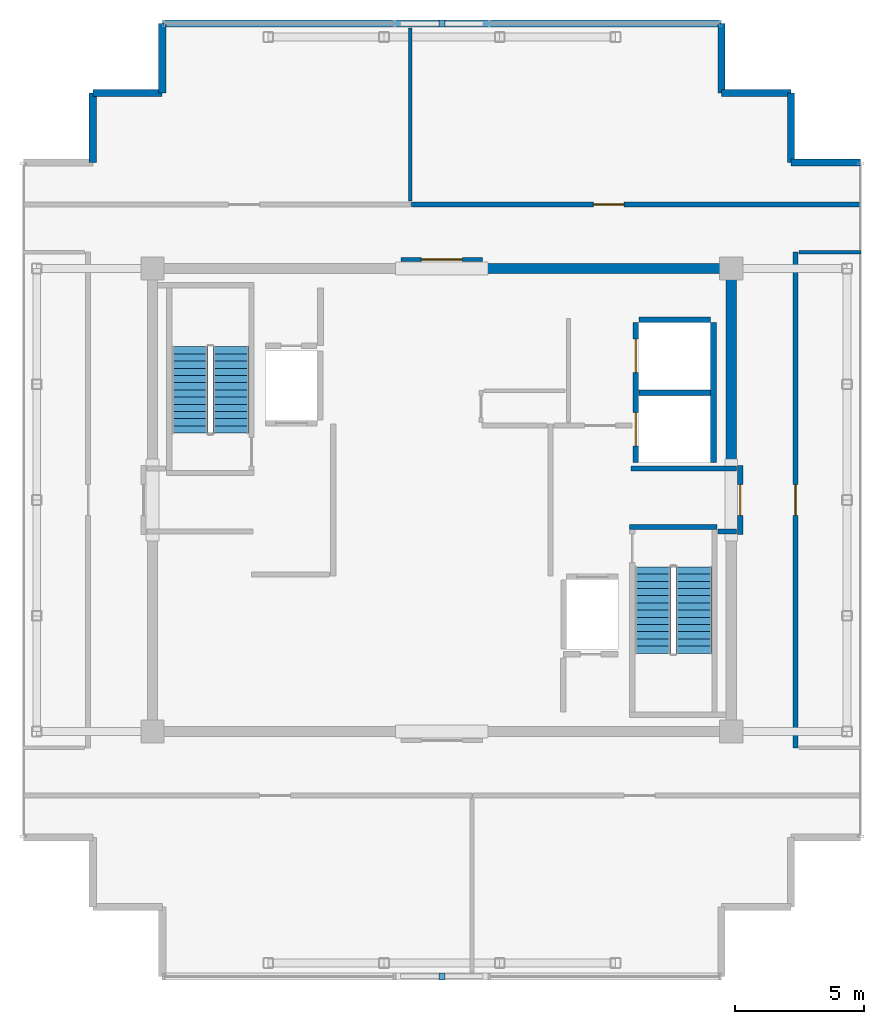
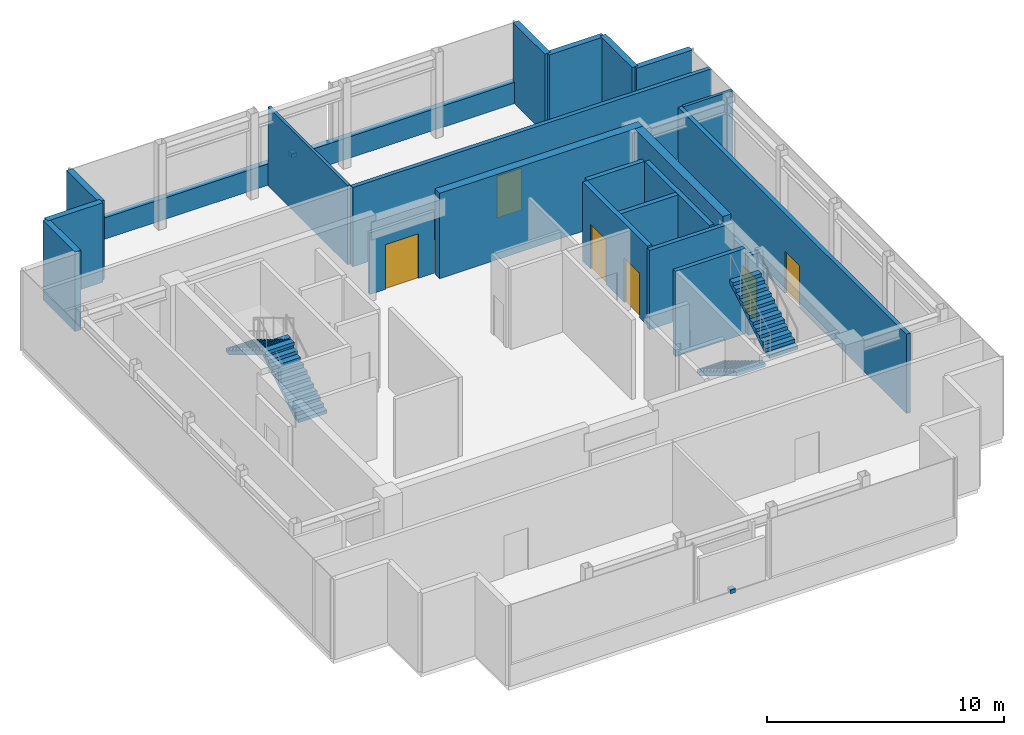
# One storey, part 13 of 14: 23 walls, 6 doors, 4 stair flights, 2 discrete accessories, 6 openings, 2 elements without a shape of their own.
"""IFC4 building model written with IfcOpenShell, lengths in metres."""

from ifc_helpers import new_model, si_unit, direction, frame, frame_2d, origin, origin_2d, place, context, subcontext, project, spatial, polyline, rectangle, outline, extrude, source, transform, mapped, material, layer, layer_set, type_object, element, fill, aggregate, save


model = new_model("IFC4")

# Units and contexts
model_context = context("Model", 3, precision=1e-05, world=origin(), true_north=direction((0.0, 1.0)))
body_context = subcontext(model_context, "Body", "Model", "MODEL_VIEW")
ifc_project = project(units=[si_unit("LENGTHUNIT", "METRE"), si_unit("AREAUNIT", "SQUARE_METRE"), si_unit("VOLUMEUNIT", "CUBIC_METRE"), si_unit("PLANEANGLEUNIT", "RADIAN"), si_unit("MASSUNIT", "GRAM", prefix="KILO")], contexts=[model_context])

# Site, building, storey
site_placement = place(None, origin())
site = spatial("IfcSite", under=ifc_project, at=site_placement, CompositionType="ELEMENT")
building_placement = place(site_placement, origin())
building = spatial("IfcBuilding", under=site, at=building_placement, Name="Nefas-Gora Pilgrimage Tower", CompositionType="ELEMENT")
storey_placement = place(building_placement, frame((0.0, 0.0, 363.0)))
storey = spatial("IfcBuildingStorey", under=building, at=storey_placement, Name="L91", CompositionType="ELEMENT", Elevation=363.0)

# Walls
ifc_material_1 = material(Name="Concrete C50/60", Category="concrete")
ifc_layer_1 = layer(ifc_material_1, 0.39990234375)
ifc_layer_set_1 = layer_set([ifc_layer_1], Name="Concrete C50/60")
wall_type_1 = type_object("IfcWallType", Name="SW-CORE-400", PredefinedType="SHEAR", material=ifc_layer_set_1)
shared_shape_1 = source(origin(), body_context, "Body", "SweptSolid", [
    extrude(rectangle(XDim=9.89990234375, YDim=0.39990234375, at=frame_2d((4.949951171875, 0.0))), origin(), (0.0, 0.0, 1.0), 4.39990234375),
])
wall_1_placement = place(storey_placement, frame((1.550048828125, 9.0, 0.0), z_axis=(0.0, 0.0, 1.0), x_axis=(1.0, 0.0, 0.0)))
element("IfcWall", 1, at=wall_1_placement, inside=storey, type_object=wall_type_1, Name="L91 Core Shear Wall N-East", PredefinedType="SHEAR", context=body_context, shape_type="MappedRepresentation", body=[
    mapped(shared_shape_1, transform((0.0, 0.0, 0.0), x_axis=(1.0, 0.0, 0.0), y_axis=(0.0, 1.0, 0.0), z_axis=(0.0, 0.0, 1.0), scale=1.0)),
])
shared_shape_2 = source(origin(), body_context, "Body", "SweptSolid", [
    extrude(rectangle(XDim=7.449951171875, YDim=0.39990234375, at=frame_2d((3.72509765625, 0.0))), origin(), (0.0, 0.0, 1.0), 4.39990234375),
])
wall_2_placement = place(storey_placement, frame((11.25, 1.35009765625, 0.0), z_axis=(0.0, 0.0, 1.0), x_axis=(0.0, 1.0, 0.0)))
element("IfcWall", 2, at=wall_2_placement, inside=storey, type_object=wall_type_1, Name="L91 Core Shear Wall E-North", PredefinedType="SHEAR", context=body_context, shape_type="MappedRepresentation", body=[
    mapped(shared_shape_2, transform((0.0, 0.0, 0.0), x_axis=(1.0, 0.0, 0.0), y_axis=(0.0, 1.0, 0.0), z_axis=(0.0, 0.0, 1.0), scale=1.0)),
])
ifc_material_2 = material(Name="Precast concrete C45/55", Category="concrete")
ifc_layer_2 = layer(ifc_material_2, 0.280029296875)
ifc_layer_set_2 = layer_set([ifc_layer_2], Name="Precast concrete C45/55")
wall_type_2 = type_object("IfcWallType", Name="EW-PLANT-280", PredefinedType="SOLIDWALL", material=ifc_layer_set_2)
shared_shape_3 = source(origin(), body_context, "Body", "SweptSolid", [
    extrude(rectangle(XDim=2.699951171875, YDim=0.280029296875, at=frame_2d((1.35009765625, 0.0))), origin(), (0.0, 0.0, 1.0), 4.10009765625),
])
for number, where, z_axis, x_axis, name in (
    (3, (16.27001953125, 13.1201171875, 0.0), (0.0, 0.0, 1.0), (-1.0, 0.0, 0.0), "L91 Serrated Corner Shear Pier Wall 1"),
    (4, (13.570068359375, 13.1201171875, 0.0), (0.0, 0.0, 1.0), (0.0, 1.0, 0.0), "L91 Serrated Corner Shear Pier Wall 2"),
    (5, (13.570068359375, 15.820068359375, 0.0), (0.0, 0.0, 1.0), (-1.0, 0.0, 0.0), "L91 Serrated Corner Shear Pier Wall 3"),
    (6, (10.8701171875, 15.820068359375, 0.0), (0.0, 0.0, 1.0), (0.0, 1.0, 0.0), "L91 Serrated Corner Shear Pier Wall 4"),
    (7, (-10.8701171875, 18.52001953125, 0.0), (0.0, 0.0, 1.0), (0.0, -1.0, 0.0), "L91 Serrated Corner Shear Pier Wall 6"),
    (8, (-10.8701171875, 15.820068359375, 0.0), (0.0, 0.0, 1.0), (-1.0, 0.0, 0.0), "L91 Serrated Corner Shear Pier Wall 7"),
    (9, (-13.570068359375, 15.820068359375, 0.0), (0.0, 0.0, 1.0), (0.0, -1.0, 0.0), "L91 Serrated Corner Shear Pier Wall 8"),
):
    element("IfcWall", number, at=place(storey_placement, frame(where, z_axis=z_axis, x_axis=x_axis)), inside=storey, type_object=wall_type_2, Name=name, PredefinedType="SOLIDWALL", context=body_context, shape_type="MappedRepresentation", body=[
        mapped(shared_shape_3, transform((0.0, 0.0, 0.0), x_axis=(1.0, 0.0, 0.0), y_axis=(0.0, 1.0, 0.0), z_axis=(0.0, 0.0, 1.0), scale=1.0)),
    ])
shared_shape_4 = source(origin(), body_context, "Body", "SweptSolid", [
    extrude(rectangle(XDim=21.740234375, YDim=0.280029296875, at=frame_2d((10.8701171875, 0.0))), origin(), (0.0, 0.0, 1.0), 1.10009765625),
])
wall_3_placement = place(storey_placement, frame((10.8701171875, 18.52001953125, 0.0), z_axis=(0.0, 0.0, 1.0), x_axis=(-1.0, 0.0, 0.0)))
element("IfcWall", 10, at=wall_3_placement, inside=storey, type_object=wall_type_2, Name="L91 Plant Upstand Spandrel Wall 5", PredefinedType="SOLIDWALL", context=body_context, shape_type="MappedRepresentation", body=[
    mapped(shared_shape_4, transform((0.0, 0.0, 0.0), x_axis=(1.0, 0.0, 0.0), y_axis=(0.0, 1.0, 0.0), z_axis=(0.0, 0.0, 1.0), scale=1.0)),
])
ifc_material_3 = material(Name="Concrete C45/55", Category="concrete")
ifc_layer_3 = layer(ifc_material_3, 0.199951171875)
ifc_layer_set_3 = layer_set([ifc_layer_3], Name="Concrete C45/55")
wall_type_3 = type_object("IfcWallType", Name="IW-STAIR-200", PredefinedType="SOLIDWALL", material=ifc_layer_set_3)
shared_shape_5 = source(origin(), body_context, "Body", "SweptSolid", [
    extrude(rectangle(XDim=3.39990234375, YDim=0.199951171875, at=frame_2d((1.699951171875, 0.0))), origin(), (0.0, 0.0, 1.0), 4.39990234375),
])
wall_4_placement = place(storey_placement, frame((7.300048828125, -1.050048828125, 0.0), z_axis=(0.0, 0.0, 1.0), x_axis=(1.0, 0.0, 0.0)))
element("IfcWall", 11, at=wall_4_placement, inside=storey, type_object=wall_type_3, Name="L91 Stairwell Shear Wall ST-02-near", PredefinedType="SOLIDWALL", context=body_context, shape_type="MappedRepresentation", body=[
    mapped(shared_shape_5, transform((0.0, 0.0, 0.0), x_axis=(1.0, 0.0, 0.0), y_axis=(0.0, 1.0, 0.0), z_axis=(0.0, 0.0, 1.0), scale=1.0)),
])

# Wall, openings, doors
ifc_material_4 = material(Name="Concrete C40/50", Category="concrete")
ifc_layer_4 = layer(ifc_material_4, 0.219970703125)
ifc_layer_set_4 = layer_set([ifc_layer_4], Name="Concrete C40/50")
wall_type_4 = type_object("IfcWallType", Name="IW-SHAFT-220", PredefinedType="SOLIDWALL", material=ifc_layer_set_4)
shared_shape_6 = source(origin(), body_context, "Body", "SweptSolid", [
    extrude(rectangle(XDim=5.449951171875, YDim=0.219970703125, at=frame_2d((2.72509765625, 0.0))), origin(), (0.0, 0.0, 1.0), 4.0849609375),
])
wall_5_placement = place(storey_placement, frame((7.5400390625, 6.89990234375, 0.0), z_axis=(0.0, 0.0, 1.0), x_axis=(0.0, -1.0, 0.0)))
wall_5 = element("IfcWall", 12, at=wall_5_placement, inside=storey, type_object=wall_type_4, Name="L91 Hoistway Wall SL-01-02-W", PredefinedType="SOLIDWALL", context=body_context, shape_type="MappedRepresentation", body=[
    mapped(shared_shape_6, transform((0.0, 0.0, 0.0), x_axis=(1.0, 0.0, 0.0), y_axis=(0.0, 1.0, 0.0), z_axis=(0.0, 0.0, 1.0), scale=1.0)),
])
opening_1_placement = place(wall_5_placement, frame((3.5, 0.0, 0.0)))
opening_1 = element("IfcOpeningElement", 13, at=opening_1_placement, cuts=wall_5, Name="Opening LD-SV", PredefinedType="OPENING", context=body_context, shape_type="SweptSolid", body=[
    extrude(rectangle(XDim=1.300048828125, YDim=2.300048828125, at=frame_2d((0.64990234375, 1.14990234375))), frame((0.0, 0.119873046875, 0.0), z_axis=(0.0, -1.0, 0.0), x_axis=(1.0, 0.0, 0.0)), (0.0, 0.0, 1.0), 0.239990234375),
])
opening_2_placement = place(wall_5_placement, frame((0.64990234375, 0.0, 0.0)))
opening_2 = element("IfcOpeningElement", 14, at=opening_2_placement, cuts=wall_5, Name="Opening LD-SV", PredefinedType="OPENING", context=body_context, shape_type="SweptSolid", body=[
    extrude(rectangle(XDim=1.300048828125, YDim=2.300048828125, at=frame_2d((0.64990234375, 1.14990234375))), frame((0.0, 0.119873046875, 0.0), z_axis=(0.0, -1.0, 0.0), x_axis=(1.0, 0.0, 0.0)), (0.0, 0.0, 1.0), 0.239990234375),
])
ifc_material_5 = material(Name="Heavy goods sliding lift landing door")
door_type_1 = type_object("IfcDoorType", Name="DR-LIFT-SERV-1300", OperationType="SLIDING_TO_RIGHT", PredefinedType="DOOR", material=ifc_material_5)
shared_shape_7 = source(origin(), body_context, "Body", "SweptSolid", [
    extrude(rectangle(XDim=1.300048828125, YDim=2.300048828125, at=frame_2d((0.64990234375, 1.14990234375))), frame((0.0, 0.02490234375, 0.0), z_axis=(0.0, -1.0, 0.0), x_axis=(1.0, 0.0, 0.0)), (0.0, 0.0, 1.0), 0.050048828125),
])
door_1_placement = place(opening_1_placement, origin())
door_1 = element("IfcDoor", 15, at=door_1_placement, inside=storey, type_object=door_type_1, Name="L91 Sliding Lift Landing Door SL-01", OperationType="SLIDING_TO_RIGHT", OverallHeight=2.300048828125, OverallWidth=1.300048828125, PredefinedType="DOOR", context=body_context, shape_type="MappedRepresentation", body=[
    mapped(shared_shape_7, transform((0.0, 0.0, 0.0), x_axis=(1.0, 0.0, 0.0), y_axis=(0.0, 1.0, 0.0), z_axis=(0.0, 0.0, 1.0), scale=1.0)),
])
fill(opening_1, door_1)
door_2_placement = place(opening_2_placement, origin())
door_2 = element("IfcDoor", 16, at=door_2_placement, inside=storey, type_object=door_type_1, Name="L91 Sliding Lift Landing Door SL-02", OperationType="SLIDING_TO_RIGHT", OverallHeight=2.300048828125, OverallWidth=1.300048828125, PredefinedType="DOOR", context=body_context, shape_type="MappedRepresentation", body=[
    mapped(shared_shape_7, transform((0.0, 0.0, 0.0), x_axis=(1.0, 0.0, 0.0), y_axis=(0.0, 1.0, 0.0), z_axis=(0.0, 0.0, 1.0), scale=1.0)),
])
fill(opening_2, door_2)

# Walls
wall_6_placement = place(storey_placement, frame((10.56005859375, 1.449951171875, 0.0), z_axis=(0.0, 0.0, 1.0), x_axis=(0.0, 1.0, 0.0)))
element("IfcWall", 17, at=wall_6_placement, inside=storey, type_object=wall_type_4, Name="L91 Hoistway Wall SL-01-02-E", PredefinedType="SOLIDWALL", context=body_context, shape_type="MappedRepresentation", body=[
    mapped(shared_shape_6, transform((0.0, 0.0, 0.0), x_axis=(1.0, 0.0, 0.0), y_axis=(0.0, 1.0, 0.0), z_axis=(0.0, 0.0, 1.0), scale=1.0)),
])
shared_shape_8 = source(origin(), body_context, "Body", "SweptSolid", [
    extrude(rectangle(XDim=2.780029296875, YDim=0.219970703125, at=frame_2d((1.39013671875, 0.0))), origin(), (0.0, 0.0, 1.0), 4.0849609375),
])
for number, where, z_axis, x_axis, name in (
    (18, (7.659912109375, 4.175048828125, 0.0), (0.0, 0.0, 1.0), (1.0, 0.0, 0.0), "L91 Hoistway Wall SL-01-02-DIV"),
    (19, (10.43994140625, 7.010009765625, 0.0), (0.0, 0.0, 1.0), (-1.0, 0.0, 0.0), "L91 Hoistway Wall SL-02-N"),
):
    element("IfcWall", number, at=place(storey_placement, frame(where, z_axis=z_axis, x_axis=x_axis)), inside=storey, type_object=wall_type_4, Name=name, PredefinedType="SOLIDWALL", context=body_context, shape_type="MappedRepresentation", body=[
        mapped(shared_shape_8, transform((0.0, 0.0, 0.0), x_axis=(1.0, 0.0, 0.0), y_axis=(0.0, 1.0, 0.0), z_axis=(0.0, 0.0, 1.0), scale=1.0)),
    ])
ifc_material_6 = material(Name="Gypsum fire-rated shaftwall")
ifc_layer_5 = layer(ifc_material_6, 0.199951171875)
ifc_layer_set_5 = layer_set([ifc_layer_5], Name="Gypsum fire-rated shaftwall")
wall_type_5 = type_object("IfcWallType", Name="IW-FFLOB-200", PredefinedType="PARTITIONING", material=ifc_layer_set_5)
shared_shape_9 = source(origin(), body_context, "Body", "SweptSolid", [
    extrude(rectangle(XDim=0.719970703125, YDim=0.199951171875, at=frame_2d((0.35986328125, 0.0))), origin(), (0.0, 0.0, 1.0), 4.0849609375),
])
wall_7_placement = place(storey_placement, frame((10.739990234375, -1.219970703125, 0.0), z_axis=(0.0, 0.0, 1.0), x_axis=(1.0, 0.0, 0.0)))
element("IfcWall", 20, at=wall_7_placement, inside=storey, type_object=wall_type_5, Name="L91 FF Lobby East Throat S Wall 15", PredefinedType="PARTITIONING", context=body_context, shape_type="MappedRepresentation", body=[
    mapped(shared_shape_9, transform((0.0, 0.0, 0.0), x_axis=(1.0, 0.0, 0.0), y_axis=(0.0, 1.0, 0.0), z_axis=(0.0, 0.0, 1.0), scale=1.0)),
])
shared_shape_10 = source(origin(), body_context, "Body", "SweptSolid", [
    extrude(rectangle(XDim=4.10986328125, YDim=0.199951171875, at=frame_2d((2.054931640625, 0.0))), origin(), (0.0, 0.0, 1.0), 4.0849609375),
])
wall_8_placement = place(storey_placement, frame((7.35009765625, 1.219970703125, 0.0), z_axis=(0.0, 0.0, 1.0), x_axis=(1.0, 0.0, 0.0)))
element("IfcWall", 21, at=wall_8_placement, inside=storey, type_object=wall_type_5, Name="L91 FF Lobby East Throat N Wall 14", PredefinedType="PARTITIONING", context=body_context, shape_type="MappedRepresentation", body=[
    mapped(shared_shape_10, transform((0.0, 0.0, 0.0), x_axis=(1.0, 0.0, 0.0), y_axis=(0.0, 1.0, 0.0), z_axis=(0.0, 0.0, 1.0), scale=1.0)),
])

# Wall, opening, door
ifc_layer_6 = layer(ifc_material_4, 0.199951171875)
ifc_layer_set_6 = layer_set([ifc_layer_6], Name="Concrete C40/50")
wall_type_6 = type_object("IfcWallType", Name="IW-PLANT-200", PredefinedType="SOLIDWALL", material=ifc_layer_set_6)
shared_shape_11 = source(origin(), body_context, "Body", "SweptSolid", [
    extrude(rectangle(XDim=19.27978515625, YDim=0.199951171875, at=frame_2d((9.639892578125, 0.0))), origin(), (0.0, 0.0, 1.0), 4.0849609375),
])
wall_9_placement = place(storey_placement, frame((13.75, -9.639892578125, 0.0), z_axis=(0.0, 0.0, 1.0), x_axis=(0.0, 1.0, 0.0)))
wall_9 = element("IfcWall", 22, at=wall_9_placement, inside=storey, type_object=wall_type_6, Name="L91 Tower Elevator Machine Plant Room Partition Wall 24", PredefinedType="SOLIDWALL", context=body_context, shape_type="MappedRepresentation", body=[
    mapped(shared_shape_11, transform((0.0, 0.0, 0.0), x_axis=(1.0, 0.0, 0.0), y_axis=(0.0, 1.0, 0.0), z_axis=(0.0, 0.0, 1.0), scale=1.0)),
])
opening_3_placement = place(wall_9_placement, frame((9.0400390625, 0.0, 0.0)))
opening_3 = element("IfcOpeningElement", 23, at=opening_3_placement, cuts=wall_9, Name="Opening ID-PL1", PredefinedType="OPENING", context=body_context, shape_type="SweptSolid", body=[
    extrude(rectangle(XDim=1.199951171875, YDim=2.14990234375, at=frame_2d((0.60009765625, 1.074951171875))), frame((0.0, 0.10986328125, 0.0), z_axis=(0.0, -1.0, 0.0), x_axis=(1.0, 0.0, 0.0)), (0.0, 0.0, 1.0), 0.219970703125),
])
ifc_material_7 = material(Name="Heavy-duty steel plant room fire door", Category="steel")
door_type_2 = type_object("IfcDoorType", Name="DR-INT-PLANT-1200", OperationType="NOTDEFINED", PredefinedType="DOOR", material=ifc_material_7)
shared_shape_12 = source(origin(), body_context, "Body", "SweptSolid", [
    extrude(rectangle(XDim=1.199951171875, YDim=2.14990234375, at=frame_2d((0.60009765625, 1.074951171875))), frame((0.0, 0.02490234375, 0.0), z_axis=(0.0, -1.0, 0.0), x_axis=(1.0, 0.0, 0.0)), (0.0, 0.0, 1.0), 0.050048828125),
])
door_3_placement = place(opening_3_placement, origin())
door_3 = element("IfcDoor", 24, at=door_3_placement, inside=storey, type_object=door_type_2, Name="L91 Tower Elevator Machine Plant Room Door 10", OperationType="SINGLE_SWING_RIGHT", OverallHeight=2.14990234375, OverallWidth=1.199951171875, PredefinedType="DOOR", context=body_context, shape_type="MappedRepresentation", body=[
    mapped(shared_shape_12, transform((0.0, 0.0, 0.0), x_axis=(1.0, 0.0, 0.0), y_axis=(0.0, 1.0, 0.0), z_axis=(0.0, 0.0, 1.0), scale=1.0)),
])
fill(opening_3, door_3)

# Walls
ifc_material_8 = material(Name="Gypsum twin-stud partition")
ifc_layer_7 = layer(ifc_material_8, 0.139892578125)
ifc_layer_set_7 = layer_set([ifc_layer_7], Name="Gypsum twin-stud partition")
wall_type_7 = type_object("IfcWallType", Name="IW-UNIT-140", PredefinedType="PARTITIONING", material=ifc_layer_set_7)
shared_shape_13 = source(origin(), body_context, "Body", "SweptSolid", [
    extrude(rectangle(XDim=2.400146484375, YDim=0.139892578125, at=frame_2d((1.2001953125, 0.0))), origin(), (0.0, 0.0, 1.0), 4.0849609375),
])
wall_10_placement = place(storey_placement, frame((13.889892578125, 9.6298828125, 0.0), z_axis=(0.0, 0.0, 1.0), x_axis=(1.0, 0.0, 0.0)))
element("IfcWall", 25, at=wall_10_placement, inside=storey, type_object=wall_type_7, Name="L91 Tower Elevator Machine Plant Room Partition Wall 25", PredefinedType="PARTITIONING", context=body_context, shape_type="MappedRepresentation", body=[
    mapped(shared_shape_13, transform((0.0, 0.0, 0.0), x_axis=(1.0, 0.0, 0.0), y_axis=(0.0, 1.0, 0.0), z_axis=(0.0, 0.0, 1.0), scale=1.0)),
])
shared_shape_14 = source(origin(), body_context, "Body", "SweptSolid", [
    extrude(rectangle(XDim=6.710205078125, YDim=0.139892578125, at=frame_2d((3.35498046875, 0.0))), origin(), (0.0, 0.0, 1.0), 4.0849609375),
])
wall_11_placement = place(storey_placement, frame((-1.22998046875, 11.6298828125, 0.0), z_axis=(0.0, 0.0, 1.0), x_axis=(0.0, 1.0, 0.0)))
element("IfcWall", 26, at=wall_11_placement, inside=storey, type_object=wall_type_7, Name="L91 Water-Cooled Chiller Plant Room Partition Wall 28", PredefinedType="PARTITIONING", context=body_context, shape_type="MappedRepresentation", body=[
    mapped(shared_shape_14, transform((0.0, 0.0, 0.0), x_axis=(1.0, 0.0, 0.0), y_axis=(0.0, 1.0, 0.0), z_axis=(0.0, 0.0, 1.0), scale=1.0)),
])

# Wall, opening, door
shared_shape_15 = source(origin(), body_context, "Body", "SweptSolid", [
    extrude(rectangle(XDim=2.7001953125, YDim=0.199951171875, at=frame_2d((1.35009765625, 0.0))), origin(), (0.0, 0.0, 1.0), 3.175048828125),
])
wall_12_placement = place(storey_placement, frame((11.60009765625, -1.35009765625, 0.0), z_axis=(0.0, 0.0, 1.0), x_axis=(0.0, 1.0, 0.0)))
wall_12 = element("IfcWall", 27, at=wall_12_placement, inside=storey, type_object=wall_type_5, Name="L91 FF Lobby East Portal Wall 10", PredefinedType="PARTITIONING", context=body_context, shape_type="MappedRepresentation", body=[
    mapped(shared_shape_15, transform((0.0, 0.0, 0.0), x_axis=(1.0, 0.0, 0.0), y_axis=(0.0, 1.0, 0.0), z_axis=(0.0, 0.0, 1.0), scale=1.0)),
])
opening_4_placement = place(wall_12_placement, frame((0.75, 0.0, 0.0)))
opening_4 = element("IfcOpeningElement", 28, at=opening_4_placement, cuts=wall_12, Name="Opening ID-FF1", PredefinedType="OPENING", context=body_context, shape_type="SweptSolid", body=[
    extrude(rectangle(XDim=1.199951171875, YDim=2.14990234375, at=frame_2d((0.60009765625, 1.074951171875))), frame((0.0, 0.10986328125, 0.0), z_axis=(0.0, -1.0, 0.0), x_axis=(1.0, 0.0, 0.0)), (0.0, 0.0, 1.0), 0.219970703125),
])
ifc_material_9 = material(Name="Smoke-sealed steel firefighting lobby door", Category="steel")
door_type_3 = type_object("IfcDoorType", Name="DR-INT-FFLOB-1200", OperationType="NOTDEFINED", PredefinedType="DOOR", material=ifc_material_9)
door_4_placement = place(opening_4_placement, origin())
door_4 = element("IfcDoor", 29, at=door_4_placement, inside=storey, type_object=door_type_3, Name="L91 FF Lobby East Portal Door 4", OperationType="SINGLE_SWING_RIGHT", OverallHeight=2.14990234375, OverallWidth=1.199951171875, PredefinedType="DOOR", context=body_context, shape_type="MappedRepresentation", body=[
    mapped(shared_shape_12, transform((0.0, 0.0, 0.0), x_axis=(1.0, 0.0, 0.0), y_axis=(0.0, 1.0, 0.0), z_axis=(0.0, 0.0, 1.0), scale=1.0)),
])
fill(opening_4, door_4)

ifc_material_10 = material(Name="Gypsum acoustic stud partition")
ifc_layer_8 = layer(ifc_material_10, 0.159912109375)
ifc_layer_set_8 = layer_set([ifc_layer_8], Name="Gypsum acoustic stud partition")
wall_type_8 = type_object("IfcWallType", Name="IW-CORR-160", PredefinedType="PARTITIONING", material=ifc_layer_set_8)
shared_shape_16 = source(origin(), body_context, "Body", "SweptSolid", [
    extrude(rectangle(XDim=3.16015625, YDim=0.159912109375, at=frame_2d((1.580078125, 0.0))), origin(), (0.0, 0.0, 1.0), 3.175048828125),
])
wall_13_placement = place(storey_placement, frame((-1.580078125, 9.35009765625, 0.0), z_axis=(0.0, 0.0, 1.0), x_axis=(1.0, 0.0, 0.0)))
wall_13 = element("IfcWall", 30, at=wall_13_placement, inside=storey, type_object=wall_type_8, Name="L91 Central Lift Lobby North Portal Wall 16", PredefinedType="PARTITIONING", context=body_context, shape_type="MappedRepresentation", body=[
    mapped(shared_shape_16, transform((0.0, 0.0, 0.0), x_axis=(1.0, 0.0, 0.0), y_axis=(0.0, 1.0, 0.0), z_axis=(0.0, 0.0, 1.0), scale=1.0)),
])
opening_5_placement = place(wall_13_placement, frame((0.780029296875, 0.0, 0.0)))
opening_5 = element("IfcOpeningElement", 31, at=opening_5_placement, cuts=wall_13, Name="Opening ID-HL1", PredefinedType="OPENING", context=body_context, shape_type="SweptSolid", body=[
    extrude(rectangle(XDim=1.60009765625, YDim=2.300048828125, at=frame_2d((0.800048828125, 1.14990234375))), frame((0.0, 0.08984375, 0.0), z_axis=(0.0, -1.0, 0.0), x_axis=(1.0, 0.0, 0.0)), (0.0, 0.0, 1.0), 0.179931640625),
])
ifc_material_11 = material(Name="Double acoustic timber assembly hall door", Category="wood")
door_type_4 = type_object("IfcDoorType", Name="DR-INT-HALL-1600", OperationType="DOUBLE_DOOR_SINGLE_SWING", PredefinedType="DOOR", material=ifc_material_11)
shared_shape_17 = source(origin(), body_context, "Body", "SweptSolid", [
    extrude(rectangle(XDim=1.60009765625, YDim=2.300048828125, at=frame_2d((0.800048828125, 1.14990234375))), frame((0.0, 0.02490234375, 0.0), z_axis=(0.0, -1.0, 0.0), x_axis=(1.0, 0.0, 0.0)), (0.0, 0.0, 1.0), 0.050048828125),
])
door_5_placement = place(opening_5_placement, origin())
door_5 = element("IfcDoor", 32, at=door_5_placement, inside=storey, type_object=door_type_4, Name="L91 Central Lift Lobby North Portal Door 6", OperationType="DOUBLE_DOOR_SINGLE_SWING", OverallHeight=2.300048828125, OverallWidth=1.60009765625, PredefinedType="DOOR", context=body_context, shape_type="MappedRepresentation", body=[
    mapped(shared_shape_17, transform((0.0, 0.0, 0.0), x_axis=(1.0, 0.0, 0.0), y_axis=(0.0, 1.0, 0.0), z_axis=(0.0, 0.0, 1.0), scale=1.0)),
])
fill(opening_5, door_5)

shared_shape_18 = source(origin(), body_context, "Body", "SweptSolid", [
    extrude(rectangle(XDim=17.469970703125, YDim=0.199951171875, at=frame_2d((8.73486328125, 0.0))), origin(), (0.0, 0.0, 1.0), 4.0849609375),
])
wall_14_placement = place(storey_placement, frame((-1.179931640625, 11.489990234375, 0.0), z_axis=(0.0, 0.0, 1.0), x_axis=(1.0, 0.0, 0.0)))
wall_14 = element("IfcWall", 33, at=wall_14_placement, inside=storey, type_object=wall_type_6, Name="L91 High-Altitude Heat-Recovery AHU Plant Room Partition Wall 29", PredefinedType="SOLIDWALL", context=body_context, shape_type="MappedRepresentation", body=[
    mapped(shared_shape_18, transform((0.0, 0.0, 0.0), x_axis=(1.0, 0.0, 0.0), y_axis=(0.0, 1.0, 0.0), z_axis=(0.0, 0.0, 1.0), scale=1.0)),
])
opening_6_placement = place(wall_14_placement, frame((7.06884765625, 0.0, 0.0)))
opening_6 = element("IfcOpeningElement", 34, at=opening_6_placement, cuts=wall_14, Name="Opening ID-PL1", PredefinedType="OPENING", context=body_context, shape_type="SweptSolid", body=[
    extrude(rectangle(XDim=1.199951171875, YDim=2.14990234375, at=frame_2d((0.60009765625, 1.074951171875))), frame((0.0, 0.10986328125, 0.0), z_axis=(0.0, -1.0, 0.0), x_axis=(1.0, 0.0, 0.0)), (0.0, 0.0, 1.0), 0.219970703125),
])
door_6_placement = place(opening_6_placement, origin())
door_6 = element("IfcDoor", 35, at=door_6_placement, inside=storey, type_object=door_type_2, Name="L91 High-Altitude Heat-Recovery AHU Plant Room Door 12", OperationType="SINGLE_SWING_RIGHT", OverallHeight=2.14990234375, OverallWidth=1.199951171875, PredefinedType="DOOR", context=body_context, shape_type="MappedRepresentation", body=[
    mapped(shared_shape_12, transform((0.0, 0.0, 0.0), x_axis=(1.0, 0.0, 0.0), y_axis=(0.0, 1.0, 0.0), z_axis=(0.0, 0.0, 1.0), scale=1.0)),
])
fill(opening_6, door_6)

# Stair, stair flights
stair_type = type_object("IfcStairType", Name="STR-1400-R1692", PredefinedType="HALF_TURN_STAIR", material=ifc_material_3)
stair_1_placement = place(storey_placement, origin())
stair_1 = element("IfcStair", 36, at=stair_1_placement, inside=storey, type_object=stair_type, Name="L91 Pressurised Tower Exit Stair ST-01", PredefinedType="HALF_TURN_STAIR")
stair_flight_type = type_object("IfcStairFlightType", Name="STF-1400-R1692", PredefinedType="STRAIGHT", material=ifc_material_3)
shared_shape_19 = source(origin(), body_context, "Body", "SweptSolid", [
    extrude(outline(polyline([(0.0, 0.0), (0.0, 0.169189453125), (0.280029296875, 0.169189453125), (0.280029296875, 0.33837890625), (0.56005859375, 0.33837890625), (0.56005859375, 0.5078125), (0.840087890625, 0.5078125), (0.840087890625, 0.677001953125), (1.1201171875, 0.677001953125), (1.1201171875, 0.84619140625), (1.39990234375, 0.84619140625), (1.39990234375, 1.015380859375), (1.679931640625, 1.015380859375), (1.679931640625, 1.1845703125), (1.9599609375, 1.1845703125), (1.9599609375, 1.353759765625), (2.239990234375, 1.353759765625), (2.239990234375, 1.523193359375), (2.52001953125, 1.523193359375), (2.52001953125, 1.6923828125), (2.800048828125, 1.6923828125), (2.800048828125, 1.861572265625), (3.080078125, 1.861572265625), (3.080078125, 2.03076171875), (3.360107421875, 2.03076171875), (3.360107421875, 2.199951171875), (3.360107421875, 1.855712890625), (0.289794921875, 0.0), (0.0, 0.0)])), frame((0.0, 0.699951171875, 0.0), z_axis=(0.0, -1.0, 0.0), x_axis=(1.0, 0.0, 0.0)), (0.0, 0.0, 1.0), 1.39990234375),
])
stair_flight_1_placement = place(storey_placement, frame((-8.199951171875, 2.60009765625, 0.0), z_axis=(0.0, 0.0, 1.0), x_axis=(0.0, 1.0, 0.0)))
stair_flight_1 = element("IfcStairFlight", 37, at=stair_flight_1_placement, type_object=stair_flight_type, Name="ST-01 flight 1", NumberOfRisers=13, NumberOfTreads=12, PredefinedType="STRAIGHT", RiserHeight=0.169230769, TreadLength=0.28, context=body_context, shape_type="MappedRepresentation", body=[
    mapped(shared_shape_19, transform((0.0, 0.0, 0.0), x_axis=(1.0, 0.0, 0.0), y_axis=(0.0, 1.0, 0.0), z_axis=(0.0, 0.0, 1.0), scale=1.0)),
])
stair_flight_2_placement = place(storey_placement, frame((-9.800048828125, 5.9599609375, 2.199951171875), z_axis=(0.0, 0.0, 1.0), x_axis=(0.0, -1.0, 0.0)))
stair_flight_2 = element("IfcStairFlight", 38, at=stair_flight_2_placement, type_object=stair_flight_type, Name="ST-01 flight 2", NumberOfRisers=13, NumberOfTreads=12, PredefinedType="STRAIGHT", RiserHeight=0.169230769, TreadLength=0.28, context=body_context, shape_type="MappedRepresentation", body=[
    mapped(shared_shape_19, transform((0.0, 0.0, 0.0), x_axis=(1.0, 0.0, 0.0), y_axis=(0.0, 1.0, 0.0), z_axis=(0.0, 0.0, 1.0), scale=1.0)),
])
aggregate(stair_1, [stair_flight_1, stair_flight_2])

stair_2_placement = place(storey_placement, origin())
stair_2 = element("IfcStair", 39, at=stair_2_placement, inside=storey, type_object=stair_type, Name="L91 Pressurised Tower Exit Stair ST-02", PredefinedType="HALF_TURN_STAIR")
stair_flight_3_placement = place(storey_placement, frame((8.199951171875, -2.60009765625, 0.0), z_axis=(0.0, 0.0, 1.0), x_axis=(0.0, -1.0, 0.0)))
stair_flight_3 = element("IfcStairFlight", 40, at=stair_flight_3_placement, type_object=stair_flight_type, Name="ST-02 flight 1", NumberOfRisers=13, NumberOfTreads=12, PredefinedType="STRAIGHT", RiserHeight=0.169230769, TreadLength=0.28, context=body_context, shape_type="MappedRepresentation", body=[
    mapped(shared_shape_19, transform((0.0, 0.0, 0.0), x_axis=(1.0, 0.0, 0.0), y_axis=(0.0, 1.0, 0.0), z_axis=(0.0, 0.0, 1.0), scale=1.0)),
])
stair_flight_4_placement = place(storey_placement, frame((9.800048828125, -5.9599609375, 2.199951171875), z_axis=(0.0, 0.0, 1.0), x_axis=(0.0, 1.0, 0.0)))
stair_flight_4 = element("IfcStairFlight", 41, at=stair_flight_4_placement, type_object=stair_flight_type, Name="ST-02 flight 2", NumberOfRisers=13, NumberOfTreads=12, PredefinedType="STRAIGHT", RiserHeight=0.169230769, TreadLength=0.28, context=body_context, shape_type="MappedRepresentation", body=[
    mapped(shared_shape_19, transform((0.0, 0.0, 0.0), x_axis=(1.0, 0.0, 0.0), y_axis=(0.0, 1.0, 0.0), z_axis=(0.0, 0.0, 1.0), scale=1.0)),
])
aggregate(stair_2, [stair_flight_3, stair_flight_4])

# Discrete accessories
ifc_material_12 = material(Name="Hot-dip galvanised steel S355", Category="steel")
discrete_accessory_type = type_object("IfcDiscreteAccessoryType", Name="ACC-BRACKET-STL", PredefinedType="BRACKET", material=ifc_material_12)
shared_shape_20 = source(origin(), body_context, "Body", "SweptSolid", [
    extrude(rectangle(XDim=0.239990234375, YDim=0.280029296875, at=origin_2d()), origin(), (0.0, 0.0, 1.0), 0.199951171875),
])
for number, where, z_axis, x_axis, name in (
    (42, (0.0, 18.52001953125, 1.0), (0.0, 0.0, 1.0), (1.0, 0.0, 0.0), "L91 Louvre Support Bracket 5"),
    (43, (0.0, -18.52001953125, 1.0), (0.0, 0.0, 1.0), (1.0, 0.0, 0.0), "L91 Louvre Support Bracket 14"),
):
    element("IfcDiscreteAccessory", number, at=place(storey_placement, frame(where, z_axis=z_axis, x_axis=x_axis)), inside=storey, type_object=discrete_accessory_type, Name=name, PredefinedType="BRACKET", context=body_context, shape_type="MappedRepresentation", body=[
        mapped(shared_shape_20, transform((0.0, 0.0, 0.0), x_axis=(1.0, 0.0, 0.0), y_axis=(0.0, 1.0, 0.0), z_axis=(0.0, 0.0, 1.0), scale=1.0)),
    ])

save(model, "model.ifc")
